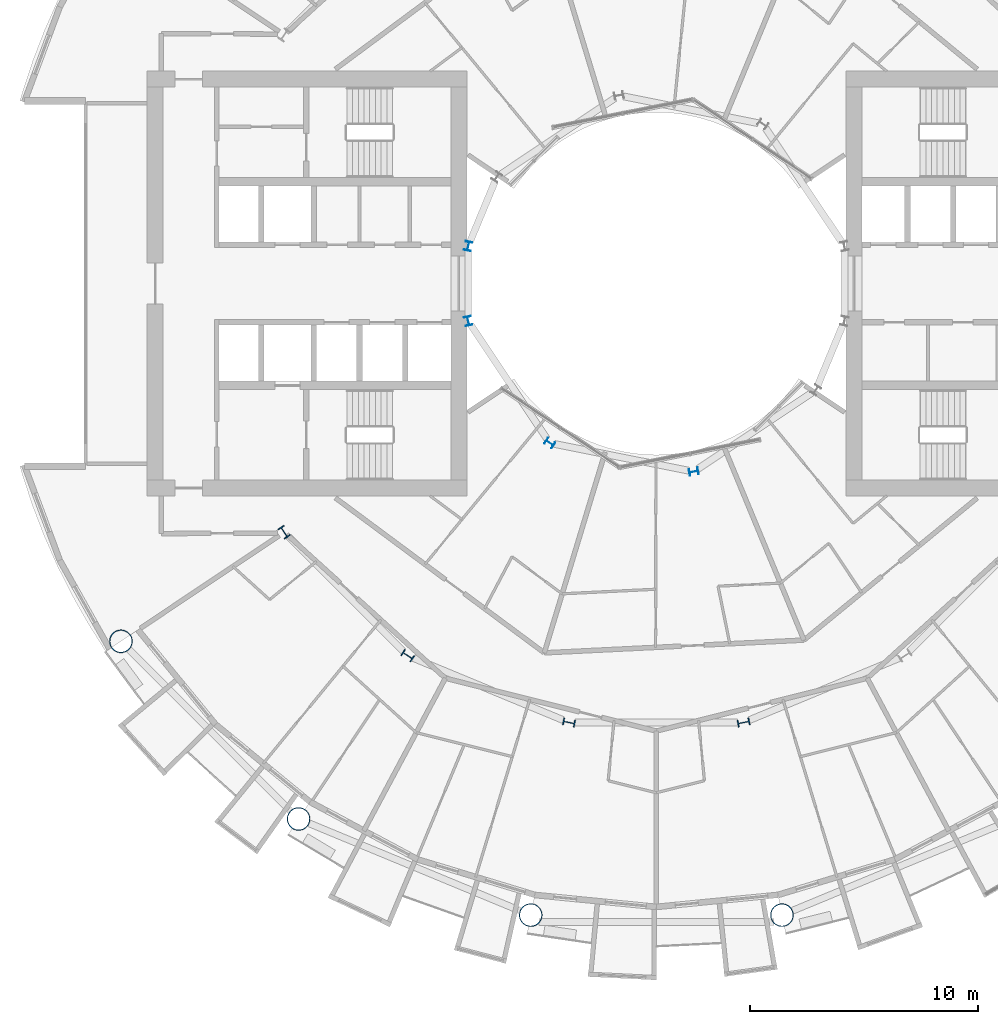
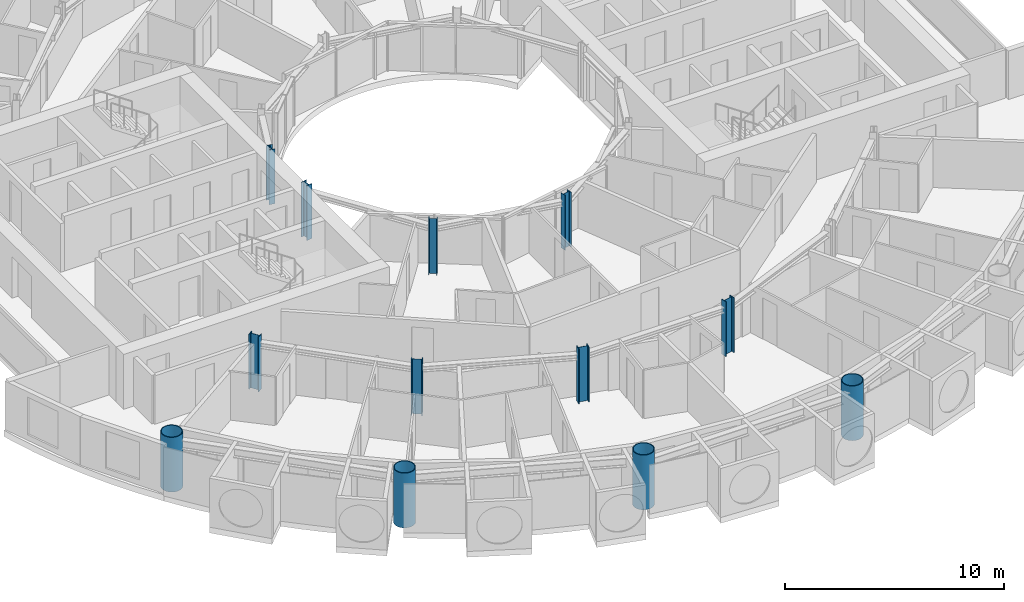
# One storey, part 1 of 26: 12 columns.
"""IFC4 building model written with IfcOpenShell, lengths in metres."""

from ifc_helpers import new_model, si_unit, direction, frame, origin, origin_2d, place, context, subcontext, project, spatial, hollow_circle, i_section, extrude, material, material_profile, profile_set, type_object, element, save


model = new_model("IFC4")

# Units and contexts
model_context = context("Model", 3, precision=1e-05, world=origin(), true_north=direction((0.0, 1.0)))
body_context = subcontext(model_context, "Body", "Model", "MODEL_VIEW")
ifc_project = project(units=[si_unit("LENGTHUNIT", "METRE"), si_unit("AREAUNIT", "SQUARE_METRE"), si_unit("VOLUMEUNIT", "CUBIC_METRE"), si_unit("PLANEANGLEUNIT", "RADIAN"), si_unit("MASSUNIT", "GRAM", prefix="KILO")], contexts=[model_context])

# Site, building, storey
site_placement = place(None, origin())
site = spatial("IfcSite", under=ifc_project, at=site_placement, CompositionType="ELEMENT")
building_placement = place(site_placement, origin())
building = spatial("IfcBuilding", under=site, at=building_placement, Name="Maasbend Ring Residences", CompositionType="ELEMENT")
storey_placement = place(building_placement, frame((0.0, 0.0, 84.949951171875)))
storey = spatial("IfcBuildingStorey", under=building, at=storey_placement, Name="L24", CompositionType="ELEMENT", Elevation=84.949951171875)

# Columns
ifc_material_1 = material(Name="Composite concrete-filled steel tube S460NH / C80/95", Category="concrete")
ifc_material_profile_1 = material_profile(ifc_material_1, hollow_circle(Radius=0.508056640625, WallThickness=0.0400390625, at=origin_2d()), Name="Composite tube column CHS 1016x40")
ifc_profile_set_1 = profile_set([ifc_material_profile_1], Name="Composite concrete-filled steel tube S460NH / C80/95")
column_type_1 = type_object("IfcColumnType", Name="Composite tube column CHS 1016x40", PredefinedType="COLUMN", material=ifc_profile_set_1)
for number, where, z_axis, x_axis, name in (
    (1, (-23.447509765625, -15.6669921875, 0.0), (0.0, 0.0, 1.0), (1.0, 0.0, 0.0), "Outer column R10"),
    (2, (-15.6669921875, -23.447509765625, 0.0), (0.0, 0.0, 1.0), (1.0, 0.0, 0.0), "Outer column R11"),
    (3, (-5.50146484375, -27.658203125, 0.0), (0.0, 0.0, 1.0), (1.0, 0.0, 0.0), "Outer column R12"),
    (4, (5.50146484375, -27.658203125, 0.0), (0.0, 0.0, 1.0), (1.0, 0.0, 0.0), "Outer column R13"),
):
    element("IfcColumn", number, at=place(storey_placement, frame(where, z_axis=z_axis, x_axis=x_axis)), inside=storey, type_object=column_type_1, Name=name, PredefinedType="COLUMN", context=body_context, shape_type="SweptSolid", body=[
        extrude(hollow_circle(Radius=0.508056640625, WallThickness=0.0400390625, at=origin_2d()), origin(), (0.0, 0.0, 1.0), 3.050048828125),
    ])
ifc_material_2 = material(Name="Steel S355J2", Category="steel")
ifc_material_profile_2 = material_profile(ifc_material_2, i_section(OverallWidth=0.300048828125, OverallDepth=0.39990234375, WebThickness=0.013427734375, FlangeThickness=0.02392578125, FilletRadius=0.027099609375, at=origin_2d()), Name="HEB 400")
ifc_profile_set_2 = profile_set([ifc_material_profile_2], Name="Steel S355J2")
column_type_2 = type_object("IfcColumnType", Name="Steel column HEB 400", PredefinedType="COLUMN", material=ifc_profile_set_2)
for number, where, z_axis, x_axis, name in (
    (5, (-8.238525390625, 1.638916015625, 0.0), (0.0, 0.0, 1.0), (-0.980785280403, 0.195090322016, 0.0), "Well ring column R8"),
    (6, (-8.238525390625, -1.638916015625, 0.0), (0.0, 0.0, 1.0), (-0.980785280403, -0.195090322016, 0.0), "Well ring column R9"),
    (7, (-4.666748046875, -6.984375, 0.0), (0.0, 0.0, 1.0), (-0.55557023302, -0.831469612303, 0.0), "Well ring column R11"),
    (8, (1.638916015625, -8.238525390625, 0.0), (0.0, 0.0, 1.0), (0.195090322016, -0.980785280403, 0.0), "Well ring column R13"),
):
    element("IfcColumn", number, at=place(storey_placement, frame(where, z_axis=z_axis, x_axis=x_axis)), inside=storey, type_object=column_type_2, Name=name, PredefinedType="COLUMN", context=body_context, shape_type="SweptSolid", body=[
        extrude(i_section(OverallWidth=0.300048828125, OverallDepth=0.39990234375, WebThickness=0.013427734375, FlangeThickness=0.02392578125, FilletRadius=0.027099609375, at=origin_2d()), origin(), (0.0, 0.0, 1.0), 3.050048828125),
    ])
ifc_material_3 = material(Name="Steel S460M", Category="steel")
ifc_material_profile_3 = material_profile(ifc_material_3, i_section(OverallWidth=0.305908203125, OverallDepth=0.52392578125, WebThickness=0.02099609375, FlangeThickness=0.0400390625, FilletRadius=0.027099609375, at=origin_2d()), Name="HEM 500")
ifc_profile_set_3 = profile_set([ifc_material_profile_3], Name="Steel S460M")
column_type_3 = type_object("IfcColumnType", Name="Steel column HEM 500", PredefinedType="COLUMN", material=ifc_profile_set_3)
for number, where, z_axis, x_axis, name in (
    (9, (-16.296875, -10.88916015625, 0.0), (0.0, 0.0, 1.0), (-0.831469612303, -0.55557023302, 0.0), "Corridor ring column R10"),
    (10, (-10.88916015625, -16.296875, 0.0), (0.0, 0.0, 1.0), (-0.55557023302, -0.831469612303, 0.0), "Corridor ring column R11"),
    (11, (-3.82373046875, -19.223388671875, 0.0), (0.0, 0.0, 1.0), (-0.195090322016, -0.980785280403, 0.0), "Corridor ring column R12"),
    (12, (3.82373046875, -19.223388671875, 0.0), (0.0, 0.0, 1.0), (0.195090322016, -0.980785280403, 0.0), "Corridor ring column R13"),
):
    element("IfcColumn", number, at=place(storey_placement, frame(where, z_axis=z_axis, x_axis=x_axis)), inside=storey, type_object=column_type_3, Name=name, PredefinedType="COLUMN", context=body_context, shape_type="SweptSolid", body=[
        extrude(i_section(OverallWidth=0.305908203125, OverallDepth=0.52392578125, WebThickness=0.02099609375, FlangeThickness=0.0400390625, FilletRadius=0.027099609375, at=origin_2d()), origin(), (0.0, 0.0, 1.0), 3.050048828125),
    ])

save(model, "model.ifc")
